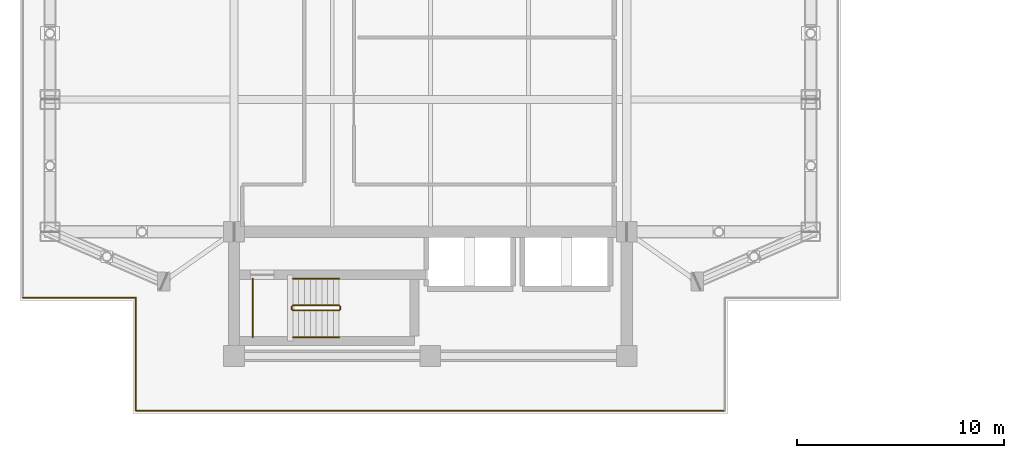
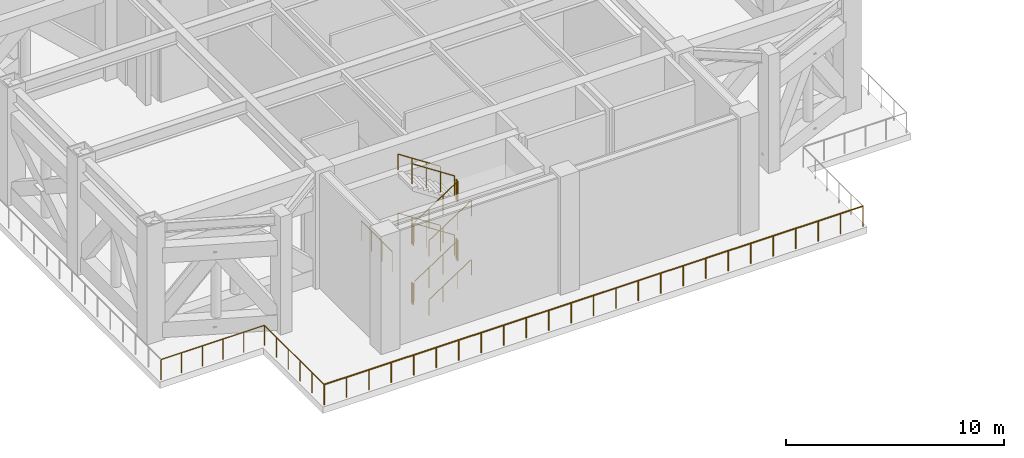
# One storey, part 13 of 18: 16 railings.
"""IFC4 building model written with IfcOpenShell, lengths in metres."""

from ifc_helpers import new_model, si_unit, direction, frame, origin, origin_2d, place, context, subcontext, project, spatial, circle, extrude, material, type_object, element, save


model = new_model("IFC4")

# Units and contexts
model_context = context("Model", 3, precision=1e-05, world=origin(), true_north=direction((0.0, 1.0)))
body_context = subcontext(model_context, "Body", "Model", "MODEL_VIEW")
ifc_project = project(units=[si_unit("LENGTHUNIT", "METRE"), si_unit("AREAUNIT", "SQUARE_METRE"), si_unit("VOLUMEUNIT", "CUBIC_METRE"), si_unit("PLANEANGLEUNIT", "RADIAN"), si_unit("MASSUNIT", "GRAM", prefix="KILO")], contexts=[model_context])

# Site, building, storey
site_placement = place(None, origin())
site = spatial("IfcSite", under=ifc_project, at=site_placement, CompositionType="ELEMENT")
building_placement = place(site_placement, origin())
building = spatial("IfcBuilding", under=site, at=building_placement, Name="Mirazonda Arch Towers", CompositionType="ELEMENT")
storey_placement = place(building_placement, frame((0.0, 0.0, 147.800048828125)))
storey = spatial("IfcBuildingStorey", under=building, at=storey_placement, Name="L42", CompositionType="ELEMENT", Elevation=147.800048828125)

# Railings
ifc_material = material(Name="Architectural Brushed Steel S355", Category="steel")
railing_type_1 = type_object("IfcRailingType", Name="GUARD-EXT-1150", PredefinedType="GUARDRAIL", material=ifc_material)
railing_1_placement = place(storey_placement, frame((6.2548828125, 9.75, 0.0)))
element("IfcRailing", 1, at=railing_1_placement, inside=storey, type_object=railing_type_1, Name="L42 T1 Open Wind-Portal Perimeter Guard 01", PredefinedType="GUARDRAIL", context=body_context, shape_type="SweptSolid", body=[
    extrude(circle(Radius=0.02392578125, at=origin_2d()), frame((0.0, 0.0, 1.1259765625), z_axis=(1.0, 0.0, 0.0), x_axis=(0.0, 1.0, 0.0)), (0.0, 0.0, 1.0), 28.490234375),
    extrude(circle(Radius=0.02099609375, at=origin_2d()), origin(), (0.0, 0.0, 1.0), 1.101806640625),
    extrude(circle(Radius=0.02099609375, at=origin_2d()), frame((1.18701171875, 0.0, 0.0)), (0.0, 0.0, 1.0), 1.101806640625),
    extrude(circle(Radius=0.02099609375, at=origin_2d()), frame((2.374267578125, 0.0, 0.0)), (0.0, 0.0, 1.0), 1.101806640625),
    extrude(circle(Radius=0.02099609375, at=origin_2d()), frame((3.561279296875, 0.0, 0.0)), (0.0, 0.0, 1.0), 1.101806640625),
    extrude(circle(Radius=0.02099609375, at=origin_2d()), frame((4.748291015625, 0.0, 0.0)), (0.0, 0.0, 1.0), 1.101806640625),
    extrude(circle(Radius=0.02099609375, at=origin_2d()), frame((5.935546875, 0.0, 0.0)), (0.0, 0.0, 1.0), 1.101806640625),
    extrude(circle(Radius=0.02099609375, at=origin_2d()), frame((7.12255859375, 0.0, 0.0)), (0.0, 0.0, 1.0), 1.101806640625),
    extrude(circle(Radius=0.02099609375, at=origin_2d()), frame((8.3095703125, 0.0, 0.0)), (0.0, 0.0, 1.0), 1.101806640625),
    extrude(circle(Radius=0.02099609375, at=origin_2d()), frame((9.496826171875, 0.0, 0.0)), (0.0, 0.0, 1.0), 1.101806640625),
    extrude(circle(Radius=0.02099609375, at=origin_2d()), frame((10.683837890625, 0.0, 0.0)), (0.0, 0.0, 1.0), 1.101806640625),
    extrude(circle(Radius=0.02099609375, at=origin_2d()), frame((11.870849609375, 0.0, 0.0)), (0.0, 0.0, 1.0), 1.101806640625),
    extrude(circle(Radius=0.02099609375, at=origin_2d()), frame((13.05810546875, 0.0, 0.0)), (0.0, 0.0, 1.0), 1.101806640625),
    extrude(circle(Radius=0.02099609375, at=origin_2d()), frame((14.2451171875, 0.0, 0.0)), (0.0, 0.0, 1.0), 1.101806640625),
    extrude(circle(Radius=0.02099609375, at=origin_2d()), frame((15.43212890625, 0.0, 0.0)), (0.0, 0.0, 1.0), 1.101806640625),
    extrude(circle(Radius=0.02099609375, at=origin_2d()), frame((16.619384765625, 0.0, 0.0)), (0.0, 0.0, 1.0), 1.101806640625),
    extrude(circle(Radius=0.02099609375, at=origin_2d()), frame((17.806396484375, 0.0, 0.0)), (0.0, 0.0, 1.0), 1.101806640625),
    extrude(circle(Radius=0.02099609375, at=origin_2d()), frame((18.993408203125, 0.0, 0.0)), (0.0, 0.0, 1.0), 1.101806640625),
    extrude(circle(Radius=0.02099609375, at=origin_2d()), frame((20.1806640625, 0.0, 0.0)), (0.0, 0.0, 1.0), 1.101806640625),
    extrude(circle(Radius=0.02099609375, at=origin_2d()), frame((21.36767578125, 0.0, 0.0)), (0.0, 0.0, 1.0), 1.101806640625),
    extrude(circle(Radius=0.02099609375, at=origin_2d()), frame((22.5546875, 0.0, 0.0)), (0.0, 0.0, 1.0), 1.101806640625),
    extrude(circle(Radius=0.02099609375, at=origin_2d()), frame((23.741943359375, 0.0, 0.0)), (0.0, 0.0, 1.0), 1.101806640625),
    extrude(circle(Radius=0.02099609375, at=origin_2d()), frame((24.928955078125, 0.0, 0.0)), (0.0, 0.0, 1.0), 1.101806640625),
    extrude(circle(Radius=0.02099609375, at=origin_2d()), frame((26.115966796875, 0.0, 0.0)), (0.0, 0.0, 1.0), 1.101806640625),
    extrude(circle(Radius=0.02099609375, at=origin_2d()), frame((27.30322265625, 0.0, 0.0)), (0.0, 0.0, 1.0), 1.101806640625),
    extrude(circle(Radius=0.02099609375, at=origin_2d()), frame((28.490234375, 0.0, 0.0)), (0.0, 0.0, 1.0), 1.101806640625),
])
railing_2_placement = place(storey_placement, frame((0.7900390625, 15.215087890625, 0.0)))
element("IfcRailing", 2, at=railing_2_placement, inside=storey, type_object=railing_type_1, Name="L42 T1 Open Wind-Portal Perimeter Guard 11", PredefinedType="GUARDRAIL", context=body_context, shape_type="SweptSolid", body=[
    extrude(circle(Radius=0.02392578125, at=origin_2d()), frame((0.0, 0.0, 1.1259765625), z_axis=(1.0, 0.0, 0.0), x_axis=(0.0, 1.0, 0.0)), (0.0, 0.0, 1.0), 5.46484375),
    extrude(circle(Radius=0.02099609375, at=origin_2d()), origin(), (0.0, 0.0, 1.0), 1.101806640625),
    extrude(circle(Radius=0.02099609375, at=origin_2d()), frame((1.093017578125, 0.0, 0.0)), (0.0, 0.0, 1.0), 1.101806640625),
    extrude(circle(Radius=0.02099609375, at=origin_2d()), frame((2.18603515625, 0.0, 0.0)), (0.0, 0.0, 1.0), 1.101806640625),
    extrude(circle(Radius=0.02099609375, at=origin_2d()), frame((3.27880859375, 0.0, 0.0)), (0.0, 0.0, 1.0), 1.101806640625),
    extrude(circle(Radius=0.02099609375, at=origin_2d()), frame((4.371826171875, 0.0, 0.0)), (0.0, 0.0, 1.0), 1.101806640625),
    extrude(circle(Radius=0.02099609375, at=origin_2d()), frame((5.46484375, 0.0, 0.0)), (0.0, 0.0, 1.0), 1.101806640625),
])
railing_3_placement = place(storey_placement, frame((6.2548828125, 15.215087890625, 0.0)))
element("IfcRailing", 3, at=railing_3_placement, inside=storey, type_object=railing_type_1, Name="L42 T1 Open Wind-Portal Perimeter Guard 12", PredefinedType="GUARDRAIL", context=body_context, shape_type="SweptSolid", body=[
    extrude(circle(Radius=0.02392578125, at=origin_2d()), frame((0.0, 0.0, 1.1259765625), z_axis=(0.0, -1.0, 0.0), x_axis=(1.0, 0.0, 0.0)), (0.0, 0.0, 1.0), 5.465087890625),
    extrude(circle(Radius=0.02099609375, at=origin_2d()), origin(), (0.0, 0.0, 1.0), 1.101806640625),
    extrude(circle(Radius=0.02099609375, at=origin_2d()), frame((0.0, -1.093017578125, 0.0)), (0.0, 0.0, 1.0), 1.101806640625),
    extrude(circle(Radius=0.02099609375, at=origin_2d()), frame((0.0, -2.18603515625, 0.0)), (0.0, 0.0, 1.0), 1.101806640625),
    extrude(circle(Radius=0.02099609375, at=origin_2d()), frame((0.0, -3.279052734375, 0.0)), (0.0, 0.0, 1.0), 1.101806640625),
    extrude(circle(Radius=0.02099609375, at=origin_2d()), frame((0.0, -4.3720703125, 0.0)), (0.0, 0.0, 1.0), 1.101806640625),
    extrude(circle(Radius=0.02099609375, at=origin_2d()), frame((0.0, -5.465087890625, 0.0)), (0.0, 0.0, 1.0), 1.101806640625),
])
railing_type_2 = type_object("IfcRailingType", Name="GUARD-STAIR-1120", PredefinedType="GUARDRAIL", material=ifc_material)
railing_4_placement = place(storey_placement, frame((13.85009765625, 14.60009765625, 0.183349609375)))
element("IfcRailing", 4, at=railing_4_placement, inside=storey, type_object=railing_type_2, Name="L42 ST-T1S stair guard 1", PredefinedType="GUARDRAIL", context=body_context, shape_type="SweptSolid", body=[
    extrude(circle(Radius=0.02392578125, at=origin_2d()), frame((0.0, 0.0, 1.1259765625), z_axis=(0.836636935527, 0.0, 0.547757827979), x_axis=(0.0, 1.0, 0.0)), (0.0, 0.0, 1.0), 2.677490234375),
    extrude(circle(Radius=0.02099609375, at=origin_2d()), origin(), (0.0, 0.0, 1.0), 1.101806640625),
    extrude(circle(Radius=0.02099609375, at=origin_2d()), frame((0.74658203125, 0.0, 0.48876953125)), (0.0, 0.0, 1.0), 1.101806640625),
    extrude(circle(Radius=0.02099609375, at=origin_2d()), frame((1.493408203125, 0.0, 0.977783203125)), (0.0, 0.0, 1.0), 1.101806640625),
    extrude(circle(Radius=0.02099609375, at=origin_2d()), frame((2.239990234375, 0.0, 1.466552734375)), (0.0, 0.0, 1.0), 1.101806640625),
])
railing_5_placement = place(storey_placement, frame((16.139892578125, 14.64990234375, 1.64990234375)))
element("IfcRailing", 5, at=railing_5_placement, inside=storey, type_object=railing_type_2, Name="L42 ST-T1S stair guard 2", PredefinedType="GUARDRAIL", context=body_context, shape_type="SweptSolid", body=[
    extrude(circle(Radius=0.02392578125, at=origin_2d()), frame((0.0, 0.0, 1.1259765625), z_axis=(0.0, 1.0, 0.0), x_axis=(-1.0, 0.0, 0.0)), (0.0, 0.0, 1.0), 0.14013671875),
    extrude(circle(Radius=0.02099609375, at=origin_2d()), origin(), (0.0, 0.0, 1.0), 1.101806640625),
    extrude(circle(Radius=0.02099609375, at=origin_2d()), frame((0.0, 0.14013671875, 0.0)), (0.0, 0.0, 1.0), 1.101806640625),
])
railing_6_placement = place(storey_placement, frame((16.090087890625, 14.840087890625, 1.833251953125)))
element("IfcRailing", 6, at=railing_6_placement, inside=storey, type_object=railing_type_2, Name="L42 ST-T1S stair guard 3", PredefinedType="GUARDRAIL", context=body_context, shape_type="SweptSolid", body=[
    extrude(circle(Radius=0.02392578125, at=origin_2d()), frame((0.0, 0.0, 1.1259765625), z_axis=(-0.836595146698, 0.0, 0.547821650285), x_axis=(0.0, -1.0, 0.0)), (0.0, 0.0, 1.0), 2.677490234375),
    extrude(circle(Radius=0.02099609375, at=origin_2d()), origin(), (0.0, 0.0, 1.0), 1.101806640625),
    extrude(circle(Radius=0.02099609375, at=origin_2d()), frame((-0.74658203125, 0.0, 0.489013671875)), (0.0, 0.0, 1.0), 1.101806640625),
    extrude(circle(Radius=0.02099609375, at=origin_2d()), frame((-1.493408203125, 0.0, 0.977783203125)), (0.0, 0.0, 1.0), 1.101806640625),
    extrude(circle(Radius=0.02099609375, at=origin_2d()), frame((-2.239990234375, 0.0, 1.466796875)), (0.0, 0.0, 1.0), 1.101806640625),
])
railing_7_placement = place(storey_placement, frame((13.800048828125, 14.64990234375, 3.300048828125)))
element("IfcRailing", 7, at=railing_7_placement, inside=storey, type_object=railing_type_2, Name="L42 ST-T1S stair guard 4", PredefinedType="GUARDRAIL", context=body_context, shape_type="SweptSolid", body=[
    extrude(circle(Radius=0.02392578125, at=origin_2d()), frame((0.0, 0.0, 1.1259765625), z_axis=(0.0, 1.0, 0.0), x_axis=(-1.0, 0.0, 0.0)), (0.0, 0.0, 1.0), 0.14013671875),
    extrude(circle(Radius=0.02099609375, at=origin_2d()), origin(), (0.0, 0.0, 1.0), 1.101806640625),
    extrude(circle(Radius=0.02099609375, at=origin_2d()), frame((0.0, 0.14013671875, 0.0)), (0.0, 0.0, 1.0), 1.101806640625),
])
railing_8_placement = place(storey_placement, frame((13.85009765625, 14.60009765625, 3.4833984375)))
element("IfcRailing", 8, at=railing_8_placement, inside=storey, type_object=railing_type_2, Name="L42 ST-T1S stair guard 5", PredefinedType="GUARDRAIL", context=body_context, shape_type="SweptSolid", body=[
    extrude(circle(Radius=0.02392578125, at=origin_2d()), frame((0.0, 0.0, 1.1259765625), z_axis=(0.836636935527, 0.0, 0.547757827979), x_axis=(0.0, 1.0, 0.0)), (0.0, 0.0, 1.0), 2.677490234375),
    extrude(circle(Radius=0.02099609375, at=origin_2d()), origin(), (0.0, 0.0, 1.0), 1.101806640625),
    extrude(circle(Radius=0.02099609375, at=origin_2d()), frame((0.74658203125, 0.0, 0.48876953125)), (0.0, 0.0, 1.0), 1.101806640625),
    extrude(circle(Radius=0.02099609375, at=origin_2d()), frame((1.493408203125, 0.0, 0.977783203125)), (0.0, 0.0, 1.0), 1.101806640625),
    extrude(circle(Radius=0.02099609375, at=origin_2d()), frame((2.239990234375, 0.0, 1.466552734375)), (0.0, 0.0, 1.0), 1.101806640625),
])
railing_9_placement = place(storey_placement, frame((16.139892578125, 14.64990234375, 4.949951171875)))
element("IfcRailing", 9, at=railing_9_placement, inside=storey, type_object=railing_type_2, Name="L42 ST-T1S stair guard 6", PredefinedType="GUARDRAIL", context=body_context, shape_type="SweptSolid", body=[
    extrude(circle(Radius=0.02392578125, at=origin_2d()), frame((0.0, 0.0, 1.1259765625), z_axis=(0.0, 1.0, 0.0), x_axis=(-1.0, 0.0, 0.0)), (0.0, 0.0, 1.0), 0.14013671875),
    extrude(circle(Radius=0.02099609375, at=origin_2d()), origin(), (0.0, 0.0, 1.0), 1.101806640625),
    extrude(circle(Radius=0.02099609375, at=origin_2d()), frame((0.0, 0.14013671875, 0.0)), (0.0, 0.0, 1.0), 1.101806640625),
])
railing_10_placement = place(storey_placement, frame((16.090087890625, 14.840087890625, 5.13330078125)))
element("IfcRailing", 10, at=railing_10_placement, inside=storey, type_object=railing_type_2, Name="L42 ST-T1S stair guard 7", PredefinedType="GUARDRAIL", context=body_context, shape_type="SweptSolid", body=[
    extrude(circle(Radius=0.02392578125, at=origin_2d()), frame((0.0, 0.0, 1.1259765625), z_axis=(-0.836636935527, 0.0, 0.547757827979), x_axis=(0.0, -1.0, 0.0)), (0.0, 0.0, 1.0), 2.677490234375),
    extrude(circle(Radius=0.02099609375, at=origin_2d()), origin(), (0.0, 0.0, 1.0), 1.101806640625),
    extrude(circle(Radius=0.02099609375, at=origin_2d()), frame((-0.74658203125, 0.0, 0.48876953125)), (0.0, 0.0, 1.0), 1.101806640625),
    extrude(circle(Radius=0.02099609375, at=origin_2d()), frame((-1.493408203125, 0.0, 0.977783203125)), (0.0, 0.0, 1.0), 1.101806640625),
    extrude(circle(Radius=0.02099609375, at=origin_2d()), frame((-2.239990234375, 0.0, 1.466552734375)), (0.0, 0.0, 1.0), 1.101806640625),
])
railing_11_placement = place(storey_placement, frame((13.800048828125, 14.64990234375, 0.0)))
element("IfcRailing", 11, at=railing_11_placement, inside=storey, type_object=railing_type_2, Name="L42 ST-T1S stair guard 8", PredefinedType="GUARDRAIL", context=body_context, shape_type="SweptSolid", body=[
    extrude(circle(Radius=0.02392578125, at=origin_2d()), frame((0.0, 0.0, 1.1259765625), z_axis=(0.0, 1.0, 0.0), x_axis=(-1.0, 0.0, 0.0)), (0.0, 0.0, 1.0), 0.14013671875),
    extrude(circle(Radius=0.02099609375, at=origin_2d()), origin(), (0.0, 0.0, 1.0), 1.101806640625),
    extrude(circle(Radius=0.02099609375, at=origin_2d()), frame((0.0, 0.14013671875, 0.0)), (0.0, 0.0, 1.0), 1.101806640625),
])
railing_12_placement = place(storey_placement, frame((11.909912109375, 13.300048828125, 3.300048828125)))
element("IfcRailing", 12, at=railing_12_placement, inside=storey, type_object=railing_type_2, Name="L42 ST-T1S stair guard 9", PredefinedType="GUARDRAIL", context=body_context, shape_type="SweptSolid", body=[
    extrude(circle(Radius=0.02392578125, at=origin_2d()), frame((0.0, 0.0, 1.1259765625), z_axis=(0.0, 1.0, 0.0), x_axis=(-1.0, 0.0, 0.0)), (0.0, 0.0, 1.0), 2.83984375),
    extrude(circle(Radius=0.02099609375, at=origin_2d()), origin(), (0.0, 0.0, 1.0), 1.101806640625),
    extrude(circle(Radius=0.02099609375, at=origin_2d()), frame((0.0, 0.946533203125, 0.0)), (0.0, 0.0, 1.0), 1.101806640625),
    extrude(circle(Radius=0.02099609375, at=origin_2d()), frame((0.0, 1.893310546875, 0.0)), (0.0, 0.0, 1.0), 1.101806640625),
    extrude(circle(Radius=0.02099609375, at=origin_2d()), frame((0.0, 2.83984375, 0.0)), (0.0, 0.0, 1.0), 1.101806640625),
])
railing_type_3 = type_object("IfcRailingType", Name="HANDRAIL-915", PredefinedType="HANDRAIL", material=ifc_material)
railing_13_placement = place(storey_placement, frame((13.85009765625, 13.300048828125, 0.183349609375)))
element("IfcRailing", 13, at=railing_13_placement, inside=storey, type_object=railing_type_3, Name="L42 ST-T1S stair handrail 1", PredefinedType="HANDRAIL", context=body_context, shape_type="SweptSolid", body=[
    extrude(circle(Radius=0.02392578125, at=origin_2d()), frame((0.0, 0.0, 0.8759765625), z_axis=(0.836636935527, 0.0, 0.547757827979), x_axis=(0.0, 1.0, 0.0)), (0.0, 0.0, 1.0), 2.677490234375),
    extrude(circle(Radius=0.02099609375, at=origin_2d()), origin(), (0.0, 0.0, 1.0), 0.851806640625),
    extrude(circle(Radius=0.02099609375, at=origin_2d()), frame((0.74658203125, 0.0, 0.48876953125)), (0.0, 0.0, 1.0), 0.851806640625),
    extrude(circle(Radius=0.02099609375, at=origin_2d()), frame((1.493408203125, 0.0, 0.977783203125)), (0.0, 0.0, 1.0), 0.851806640625),
    extrude(circle(Radius=0.02099609375, at=origin_2d()), frame((2.239990234375, 0.0, 1.466552734375)), (0.0, 0.0, 1.0), 0.851806640625),
])
railing_14_placement = place(storey_placement, frame((16.090087890625, 16.139892578125, 1.833251953125)))
element("IfcRailing", 14, at=railing_14_placement, inside=storey, type_object=railing_type_3, Name="L42 ST-T1S stair handrail 2", PredefinedType="HANDRAIL", context=body_context, shape_type="SweptSolid", body=[
    extrude(circle(Radius=0.02392578125, at=origin_2d()), frame((0.0, 0.0, 0.8759765625), z_axis=(-0.836595146698, 0.0, 0.547821650285), x_axis=(0.0, -1.0, 0.0)), (0.0, 0.0, 1.0), 2.677490234375),
    extrude(circle(Radius=0.02099609375, at=origin_2d()), origin(), (0.0, 0.0, 1.0), 0.851806640625),
    extrude(circle(Radius=0.02099609375, at=origin_2d()), frame((-0.74658203125, 0.0, 0.489013671875)), (0.0, 0.0, 1.0), 0.851806640625),
    extrude(circle(Radius=0.02099609375, at=origin_2d()), frame((-1.493408203125, 0.0, 0.977783203125)), (0.0, 0.0, 1.0), 0.851806640625),
    extrude(circle(Radius=0.02099609375, at=origin_2d()), frame((-2.239990234375, 0.0, 1.466796875)), (0.0, 0.0, 1.0), 0.851806640625),
])
railing_15_placement = place(storey_placement, frame((13.85009765625, 13.300048828125, 3.4833984375)))
element("IfcRailing", 15, at=railing_15_placement, inside=storey, type_object=railing_type_3, Name="L42 ST-T1S stair handrail 3", PredefinedType="HANDRAIL", context=body_context, shape_type="SweptSolid", body=[
    extrude(circle(Radius=0.02392578125, at=origin_2d()), frame((0.0, 0.0, 0.8759765625), z_axis=(0.836636935527, 0.0, 0.547757827979), x_axis=(0.0, 1.0, 0.0)), (0.0, 0.0, 1.0), 2.677490234375),
    extrude(circle(Radius=0.02099609375, at=origin_2d()), origin(), (0.0, 0.0, 1.0), 0.851806640625),
    extrude(circle(Radius=0.02099609375, at=origin_2d()), frame((0.74658203125, 0.0, 0.48876953125)), (0.0, 0.0, 1.0), 0.851806640625),
    extrude(circle(Radius=0.02099609375, at=origin_2d()), frame((1.493408203125, 0.0, 0.977783203125)), (0.0, 0.0, 1.0), 0.851806640625),
    extrude(circle(Radius=0.02099609375, at=origin_2d()), frame((2.239990234375, 0.0, 1.466552734375)), (0.0, 0.0, 1.0), 0.851806640625),
])
railing_16_placement = place(storey_placement, frame((16.090087890625, 16.139892578125, 5.13330078125)))
element("IfcRailing", 16, at=railing_16_placement, inside=storey, type_object=railing_type_3, Name="L42 ST-T1S stair handrail 4", PredefinedType="HANDRAIL", context=body_context, shape_type="SweptSolid", body=[
    extrude(circle(Radius=0.02392578125, at=origin_2d()), frame((0.0, 0.0, 0.8759765625), z_axis=(-0.836636935527, 0.0, 0.547757827979), x_axis=(0.0, -1.0, 0.0)), (0.0, 0.0, 1.0), 2.677490234375),
    extrude(circle(Radius=0.02099609375, at=origin_2d()), origin(), (0.0, 0.0, 1.0), 0.851806640625),
    extrude(circle(Radius=0.02099609375, at=origin_2d()), frame((-0.74658203125, 0.0, 0.48876953125)), (0.0, 0.0, 1.0), 0.851806640625),
    extrude(circle(Radius=0.02099609375, at=origin_2d()), frame((-1.493408203125, 0.0, 0.977783203125)), (0.0, 0.0, 1.0), 0.851806640625),
    extrude(circle(Radius=0.02099609375, at=origin_2d()), frame((-2.239990234375, 0.0, 1.466552734375)), (0.0, 0.0, 1.0), 0.851806640625),
])

save(model, "model.ifc")
